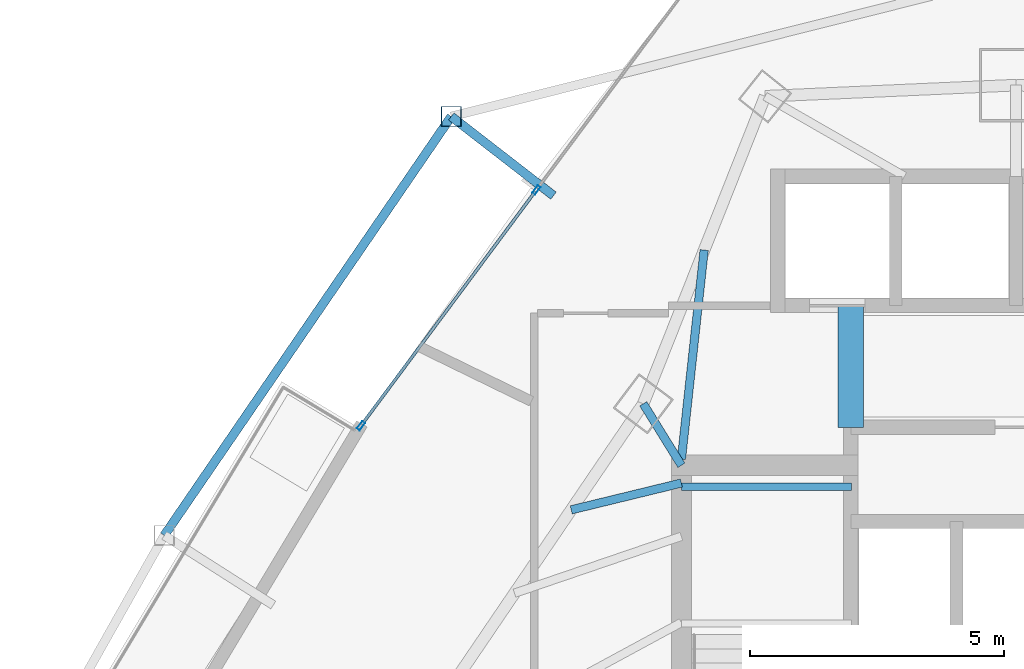
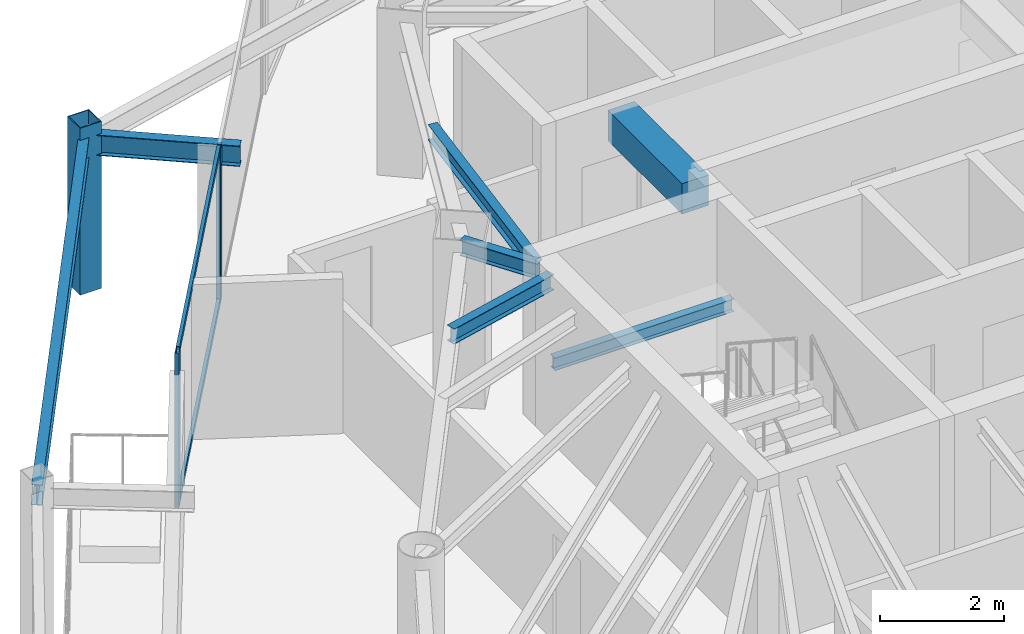
# One storey, part 17 of 31: 7 beams, 5 members, 1 element without a shape of its own.
"""IFC4 building model written with IfcOpenShell, lengths in metres."""

from ifc_helpers import new_model, si_unit, direction, frame, origin, origin_2d, place, context, subcontext, project, spatial, rectangle, hollow_rectangle, i_section, extrude, material, layer, layer_set, material_profile, profile_set, type_object, element, aggregate, save


model = new_model("IFC4")

# Units and contexts
model_context = context("Model", 3, precision=1e-05, world=origin(), true_north=direction((0.0, 1.0)))
body_context = subcontext(model_context, "Body", "Model", "MODEL_VIEW")
ifc_project = project(units=[si_unit("LENGTHUNIT", "METRE"), si_unit("AREAUNIT", "SQUARE_METRE"), si_unit("VOLUMEUNIT", "CUBIC_METRE"), si_unit("PLANEANGLEUNIT", "RADIAN"), si_unit("MASSUNIT", "GRAM", prefix="KILO")], contexts=[model_context])

# Site, building, storey
site_placement = place(None, origin())
site = spatial("IfcSite", under=ifc_project, at=site_placement, CompositionType="ELEMENT")
building_placement = place(site_placement, origin())
building = spatial("IfcBuilding", under=site, at=building_placement, Name="Orvanel Arch Residences", CompositionType="ELEMENT")
storey_placement = place(building_placement, frame((0.0, 0.0, 110.0)))
storey = spatial("IfcBuildingStorey", under=building, at=storey_placement, Name="L30", CompositionType="ELEMENT", Elevation=110.0)

# Beams
ifc_material_1 = material(Name="Structural steel AS/NZS 3679.1 Grade 300 (300 MPa)", Category="steel")
ifc_material_profile_1 = material_profile(ifc_material_1, i_section(OverallWidth=0.14599609375, OverallDepth=0.251953125, WebThickness=0.006103515625, FlangeThickness=0.008544921875, at=origin_2d()), Name="250UB31.4")
ifc_profile_set_1 = profile_set([ifc_material_profile_1], Name="Structural steel AS/NZS 3679.1 Grade 300 (300 MPa)")
beam_type_1 = type_object("IfcBeamType", Name="BJ-250UB", PredefinedType="JOIST", material=ifc_profile_set_1)
beam_1_placement = place(storey_placement, frame((26.39990234375, 33.47998046875, 1.323974609375), z_axis=(1.0, 0.0, 0.0), x_axis=(0.0, 1.0, 0.0)))
element("IfcBeam", 1, at=beam_1_placement, inside=storey, type_object=beam_type_1, Name="L30 ST-1 Half-Landing Support Beam 1.2", PredefinedType="JOIST", context=body_context, shape_type="SweptSolid", body=[
    extrude(i_section(OverallWidth=0.14599609375, OverallDepth=0.251953125, WebThickness=0.006103515625, FlangeThickness=0.008544921875, at=origin_2d()), origin(), (0.0, 0.0, 1.0), 3.35009765625),
])
ifc_material_profile_2 = material_profile(ifc_material_1, i_section(OverallWidth=0.1650390625, OverallDepth=0.303955078125, WebThickness=0.006103515625, FlangeThickness=0.01025390625, at=origin_2d()), Name="310UB40.4")
ifc_profile_set_2 = profile_set([ifc_material_profile_2], Name="Structural steel AS/NZS 3679.1 Grade 300 (300 MPa)")
beam_type_2 = type_object("IfcBeamType", Name="BJ-310UB", PredefinedType="JOIST", material=ifc_profile_set_2)
beam_2_placement = place(storey_placement, frame((26.39990234375, 33.89990234375, 2.907958984375), z_axis=(-0.526843290616, 0.84996243866, 0.0), x_axis=(-0.84996243866, -0.526843290616, 0.0)))
element("IfcBeam", 2, at=beam_2_placement, inside=storey, type_object=beam_type_2, Name="L30 NNW Wing Floor Joist", PredefinedType="JOIST", context=body_context, shape_type="SweptSolid", body=[
    extrude(i_section(OverallWidth=0.1650390625, OverallDepth=0.303955078125, WebThickness=0.006103515625, FlangeThickness=0.01025390625, at=origin_2d()), origin(), (0.0, 0.0, 1.0), 1.42724609375),
])
beam_3_placement = place(storey_placement, frame((26.39990234375, 34.02001953125, 2.907958984375), z_axis=(0.108261441852, 0.99412245735, 0.0), x_axis=(-0.99412245735, 0.108261441852, 0.0)))
element("IfcBeam", 3, at=beam_3_placement, inside=storey, type_object=beam_type_2, Name="L30 NNW2 Wing Floor Joist", PredefinedType="JOIST", context=body_context, shape_type="SweptSolid", body=[
    extrude(i_section(OverallWidth=0.1650390625, OverallDepth=0.303955078125, WebThickness=0.006103515625, FlangeThickness=0.01025390625, at=origin_2d()), origin(), (0.0, 0.0, 1.0), 4.1494140625),
])
beam_4_placement = place(storey_placement, frame((26.39990234375, 33.550048828125, 2.907958984375), z_axis=(-0.971638471014, -0.236471312521, 0.0), x_axis=(0.236471312521, -0.971638471014, 0.0)))
element("IfcBeam", 4, at=beam_4_placement, inside=storey, type_object=beam_type_2, Name="L30 JADD3 Wing Floor Joist", PredefinedType="JOIST", context=body_context, shape_type="SweptSolid", body=[
    extrude(i_section(OverallWidth=0.1650390625, OverallDepth=0.303955078125, WebThickness=0.006103515625, FlangeThickness=0.01025390625, at=origin_2d()), origin(), (0.0, 0.0, 1.0), 2.2373046875),
])
ifc_material_2 = material(Name="Concrete S65 (65 MPa)", Category="concrete")
ifc_material_profile_3 = material_profile(ifc_material_2, rectangle(XDim=0.5, YDim=0.60009765625, at=origin_2d()), Name="RC500x600")
ifc_profile_set_3 = profile_set([ifc_material_profile_3], Name="Concrete S65 (65 MPa)")
beam_type_3 = type_object("IfcBeamType", Name="CB-500x600", PredefinedType="LINTEL", material=ifc_profile_set_3)
beam_5_placement = place(storey_placement, frame((29.739990234375, 34.64990234375, 2.760009765625), z_axis=(0.0, 1.0, 0.0), x_axis=(-1.0, 0.0, 0.0)))
element("IfcBeam", 5, at=beam_5_placement, inside=storey, type_object=beam_type_3, Name="L30 West Core Lobby Coupling Lintel Beam", PredefinedType="LINTEL", context=body_context, shape_type="SweptSolid", body=[
    extrude(rectangle(XDim=0.5, YDim=0.60009765625, at=origin_2d()), origin(), (0.0, 0.0, 1.0), 2.400146484375),
])

# Curtain wall, members
ifc_material_3 = material(Name="Bronze-anodised aluminium AA6063-T6", Category="aluminium")
ifc_layer = layer(ifc_material_3, 0.179931640625)
ifc_layer_set = layer_set([ifc_layer], Name="Bronze-anodised aluminium AA6063-T6")
curtain_wall_type = type_object("IfcCurtainWallType", Name="CW3-MID-SYS", PredefinedType="NOTDEFINED", material=ifc_layer_set)
curtain_wall_placement = place(storey_placement, origin())
curtain_wall = element("IfcCurtainWall", 6, at=curtain_wall_placement, inside=storey, type_object=curtain_wall_type, Name="L30 CW3-MID-SYS Unitised Curtain Wall", PredefinedType="NOTDEFINED")
ifc_material_profile_4 = material_profile(ifc_material_3, hollow_rectangle(XDim=0.070068359375, YDim=0.179931640625, WallThickness=0.00439453125, at=origin_2d()), Name="ALU180x70x4.5")
ifc_profile_set_4 = profile_set([ifc_material_profile_4], Name="Bronze-anodised aluminium AA6063-T6")
member_type_1 = type_object("IfcMemberType", Name="MUL-180x70", PredefinedType="MULLION", material=ifc_profile_set_4)
member_1_placement = place(storey_placement, frame((23.5390625, 39.32958984375, 0.0), z_axis=(0.0, 0.0, 1.0), x_axis=(0.802267592094, -0.596964580755, 0.0)))
member_1 = element("IfcMember", 7, at=member_1_placement, type_object=member_type_1, Name="CW-S3 mullion 2", PredefinedType="MULLION", context=body_context, shape_type="SweptSolid", body=[
    extrude(hollow_rectangle(XDim=0.070068359375, YDim=0.179931640625, WallThickness=0.00439453125, at=origin_2d()), origin(), (0.0, 0.0, 1.0), 3.06005859375),
])
member_2_placement = place(storey_placement, frame((20.077880859375, 34.677978515625, 0.0), z_axis=(0.0, 0.0, 1.0), x_axis=(0.802267592094, -0.596964580755, 0.0)))
member_2 = element("IfcMember", 8, at=member_2_placement, type_object=member_type_1, Name="CW-S3 mullion 3", PredefinedType="MULLION", context=body_context, shape_type="SweptSolid", body=[
    extrude(hollow_rectangle(XDim=0.070068359375, YDim=0.179931640625, WallThickness=0.00439453125, at=origin_2d()), origin(), (0.0, 0.0, 1.0), 3.06005859375),
])

# Beams
ifc_material_profile_5 = material_profile(ifc_material_1, i_section(OverallWidth=0.177978515625, OverallDepth=0.406005859375, WebThickness=0.0078125, FlangeThickness=0.0126953125, at=origin_2d()), Name="410UB59.7")
ifc_profile_set_5 = profile_set([ifc_material_profile_5], Name="Structural steel AS/NZS 3679.1 Grade 300 (300 MPa)")
beam_type_4 = type_object("IfcBeamType", Name="OB-410UB-EXT", PredefinedType="SPANDREL", material=ifc_profile_set_5)
beam_6_placement = place(storey_placement, frame((23.876953125, 39.218017578125, 2.85693359375), z_axis=(-0.790469513462, 0.612501386355, 0.0), x_axis=(-0.612501386355, -0.790469513462, 0.0)))
element("IfcBeam", 9, at=beam_6_placement, inside=storey, type_object=beam_type_4, Name="L30 Outer Frame Radial Tie Beam 01", PredefinedType="SPANDREL", context=body_context, shape_type="SweptSolid", body=[
    extrude(i_section(OverallWidth=0.177978515625, OverallDepth=0.406005859375, WebThickness=0.0078125, FlangeThickness=0.0126953125, at=origin_2d()), origin(), (0.0, 0.0, 1.0), 2.55029296875),
])
beam_7_placement = place(storey_placement, frame((21.861083984375, 40.780029296875, 2.85693359375), z_axis=(-0.565130371441, -0.825001614105, 0.0), x_axis=(0.825001614105, -0.565130371441, 0.0)))
element("IfcBeam", 10, at=beam_7_placement, inside=storey, type_object=beam_type_4, Name="L30 Outer Perimeter Floor Ring Beam 01", PredefinedType="SPANDREL", context=body_context, shape_type="SweptSolid", body=[
    extrude(i_section(OverallWidth=0.177978515625, OverallDepth=0.406005859375, WebThickness=0.0078125, FlangeThickness=0.0126953125, at=origin_2d()), origin(), (0.0, 0.0, 1.0), 10.015625),
])

# Member
ifc_material_4 = material(Name="Structural steel AS/NZS 1163 C450L0 (Grade 450)", Category="steel")
ifc_material_profile_6 = material_profile(ifc_material_4, hollow_rectangle(XDim=0.39990234375, YDim=0.39990234375, WallThickness=0.01611328125, at=origin_2d()), Name="SHS400x400x16")
ifc_profile_set_6 = profile_set([ifc_material_profile_6], Name="Structural steel AS/NZS 1163 C450L0 (Grade 450)")
member_type_2 = type_object("IfcMemberType", Name="ST-400SHS-EXT", PredefinedType="STRUT", material=ifc_profile_set_6)
member_3_placement = place(storey_placement, frame((21.861083984375, 40.780029296875, 0.0), z_axis=(0.0, 0.0, 1.0), x_axis=(1.0, 0.0, 0.0)))
element("IfcMember", 11, at=member_3_placement, inside=storey, type_object=member_type_2, Name="L30 Outer Perimeter Frame Post 01", PredefinedType="STRUT", context=body_context, shape_type="SweptSolid", body=[
    extrude(hollow_rectangle(XDim=0.39990234375, YDim=0.39990234375, WallThickness=0.01611328125, at=origin_2d()), origin(), (0.0, 0.0, 1.0), 3.300048828125),
])

ifc_material_profile_7 = material_profile(ifc_material_3, hollow_rectangle(XDim=0.06005859375, YDim=0.135009765625, WallThickness=0.00390625, at=origin_2d()), Name="ALU135x60x4")
ifc_profile_set_7 = profile_set([ifc_material_profile_7], Name="Bronze-anodised aluminium AA6063-T6")
member_type_3 = type_object("IfcMemberType", Name="TRN-135x60", PredefinedType="USERDEFINED", material=ifc_profile_set_7)
member_4_placement = place(storey_placement, frame((23.51806640625, 39.301513671875, 0.030029296875), z_axis=(-0.596933576547, -0.802290661288, 0.0), x_axis=(0.802290661288, -0.596933576547, 0.0)))
member_4 = element("IfcMember", 12, at=member_4_placement, type_object=member_type_3, Name="CW-S3 transom 2.1", ObjectType="TRANSOM", PredefinedType="USERDEFINED", context=body_context, shape_type="SweptSolid", body=[
    extrude(hollow_rectangle(XDim=0.06005859375, YDim=0.135009765625, WallThickness=0.00390625, at=origin_2d()), origin(), (0.0, 0.0, 1.0), 5.72802734375),
])

member_5_placement = place(storey_placement, frame((23.51806640625, 39.301513671875, 3.030029296875), z_axis=(-0.596933576547, -0.802290661288, 0.0), x_axis=(0.802290661288, -0.596933576547, 0.0)))
member_5 = element("IfcMember", 13, at=member_5_placement, type_object=member_type_3, Name="CW-S3 transom 2.2", ObjectType="TRANSOM", PredefinedType="USERDEFINED", context=body_context, shape_type="SweptSolid", body=[
    extrude(hollow_rectangle(XDim=0.06005859375, YDim=0.135009765625, WallThickness=0.00390625, at=origin_2d()), origin(), (0.0, 0.0, 1.0), 5.72802734375),
])

aggregate(curtain_wall, [member_1, member_2, member_4, member_5])

save(model, "model.ifc")
